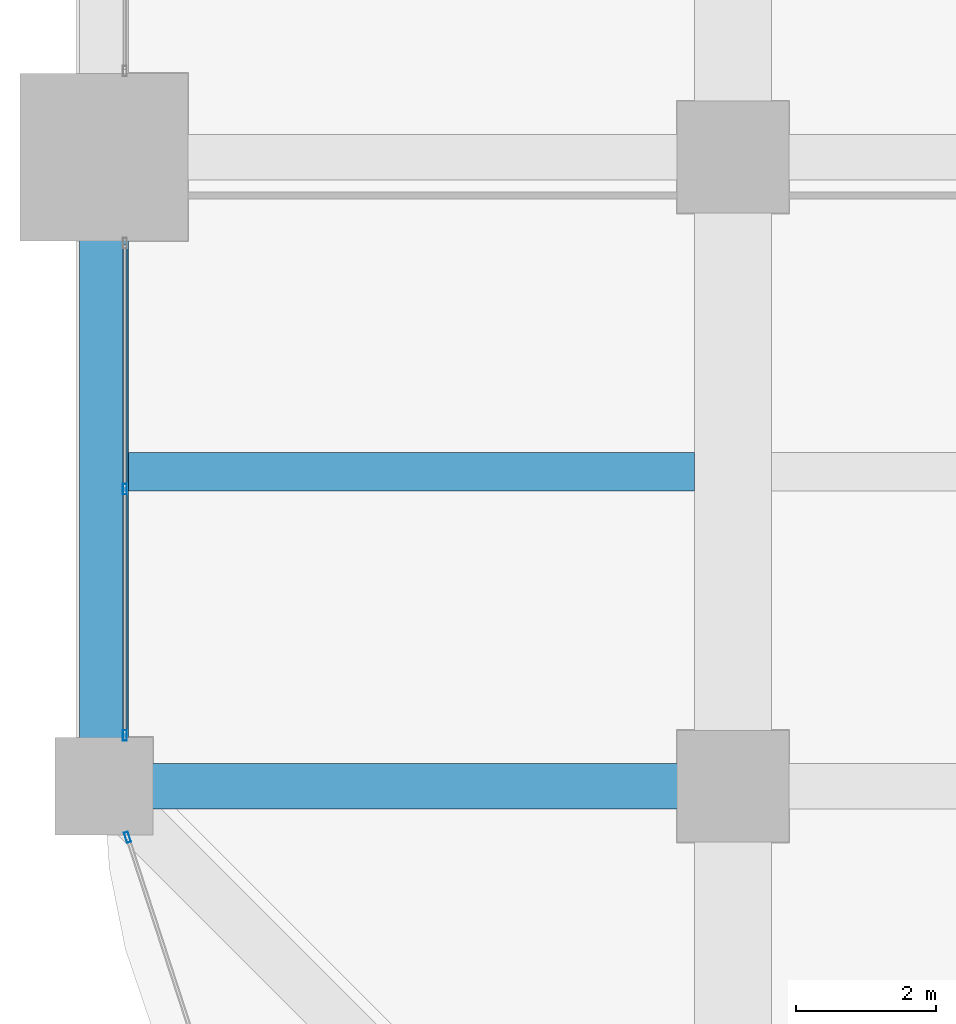
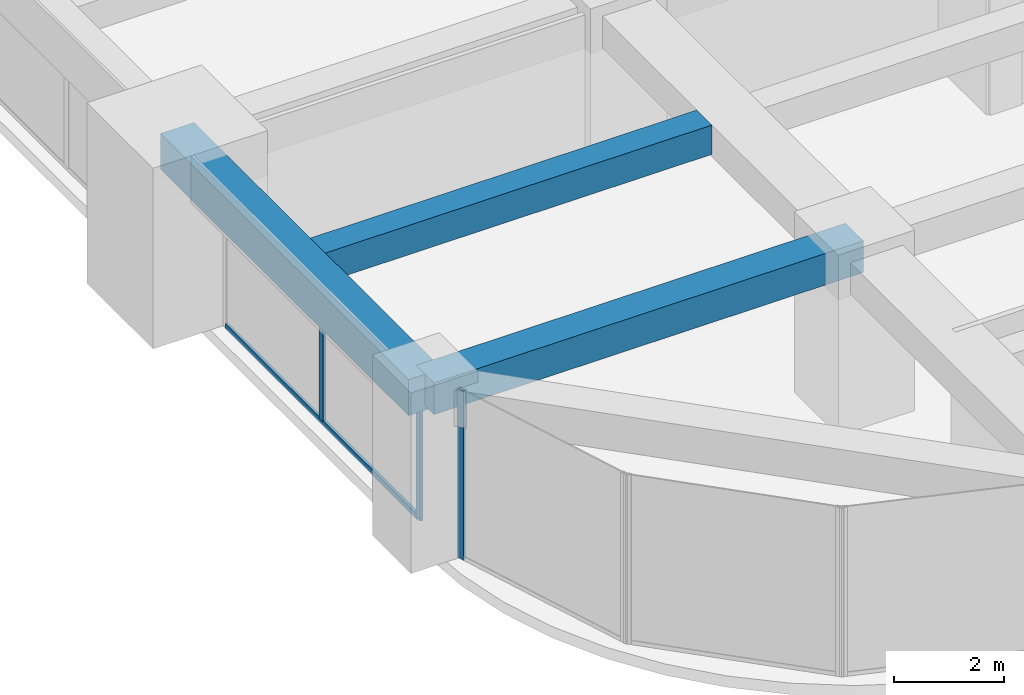
# One storey, part 4 of 34: 4 members, 3 beams, 2 elements without a shape of their own.
"""IFC4 building model written with IfcOpenShell, lengths in metres."""

from ifc_helpers import new_model, si_unit, direction, frame, origin, origin_2d, place, context, subcontext, project, spatial, rectangle, hollow_rectangle, extrude, material, material_profile, profile_set, type_object, element, aggregate, save


model = new_model("IFC4")

# Units and contexts
model_context = context("Model", 3, precision=1e-05, world=origin(), true_north=direction((0.0, 1.0)))
body_context = subcontext(model_context, "Body", "Model", "MODEL_VIEW")
ifc_project = project(units=[si_unit("LENGTHUNIT", "METRE"), si_unit("AREAUNIT", "SQUARE_METRE"), si_unit("VOLUMEUNIT", "CUBIC_METRE"), si_unit("PLANEANGLEUNIT", "RADIAN"), si_unit("MASSUNIT", "GRAM", prefix="KILO")], contexts=[model_context])

# Site, building, storey
site_placement = place(None, origin())
site = spatial("IfcSite", under=ifc_project, at=site_placement, CompositionType="ELEMENT")
building_placement = place(site_placement, origin())
building = spatial("IfcBuilding", under=site, at=building_placement, Name="Zorevar Civic Tower", CompositionType="ELEMENT")
storey_placement = place(building_placement, frame((0.0, 0.0, 174.199951171875)))
storey = spatial("IfcBuildingStorey", under=building, at=storey_placement, Name="L42", CompositionType="ELEMENT", Elevation=174.199951171875)

# Beams
ifc_material_1 = material(Name="Concrete C50/60", Category="concrete")
ifc_material_profile_1 = material_profile(ifc_material_1, rectangle(XDim=0.550048828125, YDim=0.64990234375, at=origin_2d()), Name="RC 550x650")
ifc_profile_set_1 = profile_set([ifc_material_profile_1], Name="Concrete C50/60")
beam_type_1 = type_object("IfcBeamType", Name="Beam RC 550x650", PredefinedType="BEAM", material=ifc_profile_set_1)
beam_1_placement = place(storey_placement, frame((0.35009765625, 13.5, 3.425048828125), z_axis=(1.0, 0.0, 0.0), x_axis=(0.0, 1.0, 0.0)))
element("IfcBeam", 1, at=beam_1_placement, inside=storey, type_object=beam_type_1, Name="Secondary beam L43", PredefinedType="BEAM", context=body_context, shape_type="SweptSolid", body=[
    extrude(rectangle(XDim=0.550048828125, YDim=0.64990234375, at=origin_2d()), origin(), (0.0, 0.0, 1.0), 8.099853515625),
])
ifc_material_2 = material(Name="Concrete C50/60", Category="concrete")
ifc_material_profile_2 = material_profile(ifc_material_2, rectangle(XDim=0.64990234375, YDim=0.699951171875, at=origin_2d()), Name="RC 650x700")
ifc_profile_set_2 = profile_set([ifc_material_profile_2], Name="Concrete C50/60")
beam_type_2 = type_object("IfcBeamType", Name="Beam RC 650x700", PredefinedType="BEAM", material=ifc_profile_set_2)
beam_2_placement = place(storey_placement, frame((0.0, 9.0, 3.400146484375), z_axis=(1.0, 0.0, 0.0), x_axis=(0.0, 1.0, 0.0)))
element("IfcBeam", 2, at=beam_2_placement, inside=storey, type_object=beam_type_2, Name="Girder L43", PredefinedType="BEAM", context=body_context, shape_type="SweptSolid", body=[
    extrude(rectangle(XDim=0.64990234375, YDim=0.699951171875, at=origin_2d()), origin(), (0.0, 0.0, 1.0), 9.0),
])

# Curtain wall, members
ifc_material_3 = material(Name="Dark grey solar-control glass in black aluminium frame", Category="aluminium")
curtain_wall_type = type_object("IfcCurtainWallType", Name="Curtain wall CW4 high zone", PredefinedType="NOTDEFINED", material=ifc_material_3)
curtain_wall_1_placement = place(storey_placement, origin())
curtain_wall_1 = element("IfcCurtainWall", 3, at=curtain_wall_1_placement, inside=storey, type_object=curtain_wall_type, Name="CW4 L42", PredefinedType="NOTDEFINED")
ifc_material_4 = material(Name="Aluminium, black anodised", Category="aluminium")
ifc_material_profile_3 = material_profile(ifc_material_4, hollow_rectangle(XDim=0.06005859375, YDim=0.14990234375, WallThickness=0.00390625, at=origin_2d()), Name="AL 150x60x4")
ifc_profile_set_3 = profile_set([ifc_material_profile_3], Name="Aluminium, black anodised")
member_type_1 = type_object("IfcMemberType", Name="CW4 mullion AL 150x60x4", PredefinedType="MULLION", material=ifc_profile_set_3)
member_1_placement = place(storey_placement, frame((0.300048828125, 9.72998046875, 0.0), z_axis=(0.0, 0.0, 1.0), x_axis=(-1.0, 0.0, 0.0)))
member_1 = element("IfcMember", 4, at=member_1_placement, type_object=member_type_1, Name="CW4 mullion 1", PredefinedType="MULLION", context=body_context, shape_type="SweptSolid", body=[
    extrude(hollow_rectangle(XDim=0.06005859375, YDim=0.14990234375, WallThickness=0.00390625, at=origin_2d()), origin(), (0.0, 0.0, 1.0), 2.949951171875),
])
member_2_placement = place(storey_placement, frame((0.300048828125, 13.25, 0.06005859375), z_axis=(0.0, 0.0, 1.0), x_axis=(-1.0, 0.0, 0.0)))
member_2 = element("IfcMember", 5, at=member_2_placement, type_object=member_type_1, Name="CW4 mullion 2", PredefinedType="MULLION", context=body_context, shape_type="SweptSolid", body=[
    extrude(hollow_rectangle(XDim=0.06005859375, YDim=0.14990234375, WallThickness=0.00390625, at=origin_2d()), origin(), (0.0, 0.0, 1.0), 2.889892578125),
])

# Curtain wall, member
curtain_wall_2_placement = place(storey_placement, origin())
curtain_wall_2 = element("IfcCurtainWall", 6, at=curtain_wall_2_placement, inside=storey, type_object=curtain_wall_type, Name="CW4 L42", PredefinedType="NOTDEFINED")
member_3_placement = place(storey_placement, frame((0.337646484375, 8.271484375, 0.0), z_axis=(0.0, 0.0, 1.0), x_axis=(0.950644749916, 0.310281419775, 0.0)))
member_3 = element("IfcMember", 7, at=member_3_placement, type_object=member_type_1, Name="CW4 mullion 1", PredefinedType="MULLION", context=body_context, shape_type="SweptSolid", body=[
    extrude(hollow_rectangle(XDim=0.06005859375, YDim=0.14990234375, WallThickness=0.00390625, at=origin_2d()), origin(), (0.0, 0.0, 1.0), 3.75),
])
aggregate(curtain_wall_2, [member_3])

# Member
ifc_material_5 = material(Name="Aluminium, black anodised", Category="aluminium")
ifc_material_profile_4 = material_profile(ifc_material_5, hollow_rectangle(XDim=0.06005859375, YDim=0.1201171875, WallThickness=0.0029296875, at=origin_2d()), Name="AL 120x60x3")
ifc_profile_set_4 = profile_set([ifc_material_profile_4], Name="Aluminium, black anodised")
member_type_2 = type_object("IfcMemberType", Name="CW4 transom AL 120x60x3", PredefinedType="USERDEFINED", material=ifc_profile_set_4)
member_4_placement = place(storey_placement, frame((0.300048828125, 9.760009765625, 0.030029296875), z_axis=(0.0, 1.0, 0.0), x_axis=(-1.0, 0.0, 0.0)))
member_4 = element("IfcMember", 8, at=member_4_placement, type_object=member_type_2, Name="CW4 sill transom", ObjectType="TRANSOM", PredefinedType="USERDEFINED", context=body_context, shape_type="SweptSolid", body=[
    extrude(hollow_rectangle(XDim=0.06005859375, YDim=0.1201171875, WallThickness=0.0029296875, at=origin_2d()), origin(), (0.0, 0.0, 1.0), 6.97998046875),
])

aggregate(curtain_wall_1, [member_1, member_2, member_4])

# Beam
ifc_material_6 = material(Name="Concrete C50/60", Category="concrete")
ifc_material_profile_5 = material_profile(ifc_material_6, rectangle(XDim=0.699951171875, YDim=0.800048828125, at=origin_2d()), Name="RC 700x800")
ifc_profile_set_5 = profile_set([ifc_material_profile_5], Name="Concrete C50/60")
beam_type_3 = type_object("IfcBeamType", Name="Edge beam RC 700x800", PredefinedType="SPANDREL", material=ifc_profile_set_5)
beam_3_placement = place(storey_placement, frame((0.0, 9.0, 3.35009765625), z_axis=(0.0, 1.0, 0.0), x_axis=(-1.0, 0.0, 0.0)))
element("IfcBeam", 9, at=beam_3_placement, inside=storey, type_object=beam_type_3, Name="Edge beam L43", PredefinedType="SPANDREL", context=body_context, shape_type="SweptSolid", body=[
    extrude(rectangle(XDim=0.699951171875, YDim=0.800048828125, at=origin_2d()), origin(), (0.0, 0.0, 1.0), 9.0),
])

save(model, "model.ifc")
